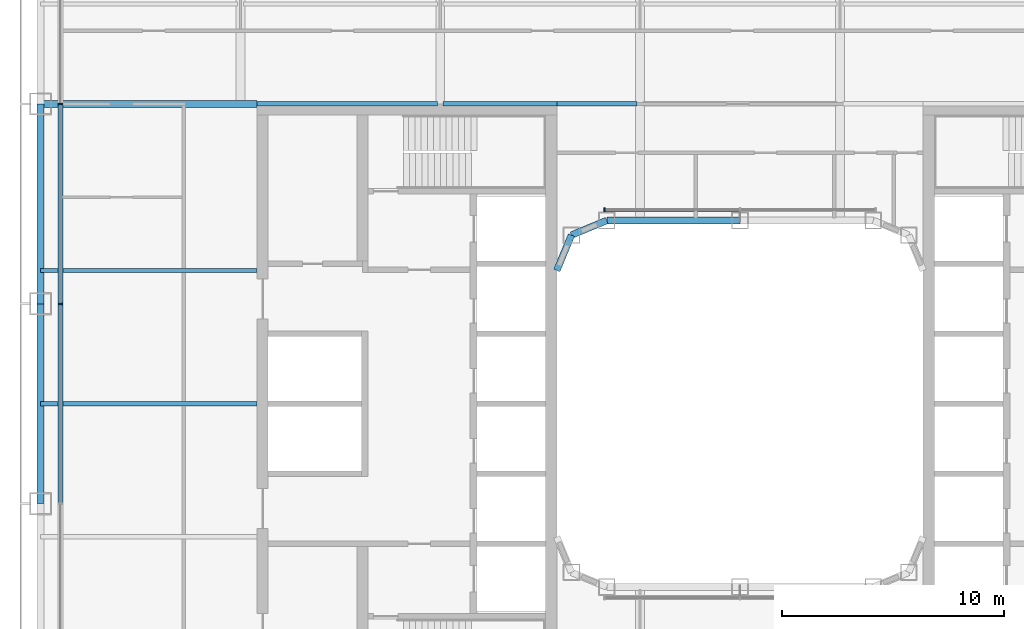
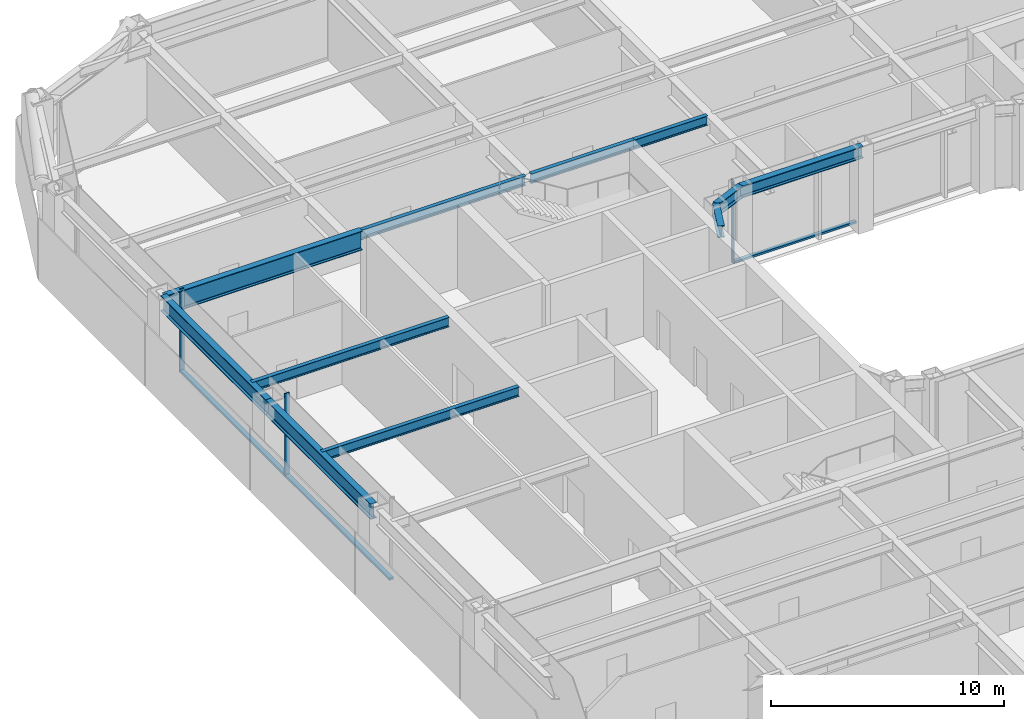
# One storey, part 6 of 30: 11 beams, 6 members, 2 elements without a shape of their own.
"""IFC4 building model written with IfcOpenShell, lengths in metres."""

import ifcopenshell
import ifcopenshell.guid

model = None  # the IFC model being written
_history = None  # IfcOwnerHistory: only IFC2X3 demands one
_inside = {}  # id of a spatial element -> (the spatial element, [elements in it])
_under = {}  # id of a project, library or spatial element -> (it, [spatial elements below it])
_declared = {}  # id of a project -> (the project, [libraries it declares])
_typed = {}  # id of a type object -> (the type object, [elements of that type])
_made_of = {}  # id of a material, layer set ... -> (it, [elements and type objects made of it])


def new_model(schema):
    """Start an empty IFC model of exactly this schema.

    Asked for "IFC4X3", IfcOpenShell would pick the latest addendum, in which some entities
    have other attributes; the version numbers below select the first issue.
    IFC2X3 requires an IfcOwnerHistory on every rooted entity: one is made here for all.
    """
    global model, _history
    if schema == "IFC4X3":
        model = ifcopenshell.file(schema_version=(4, 3, 0, 0))
    else:
        model = ifcopenshell.file(schema=schema)
    _inside.clear()
    _under.clear()
    _declared.clear()
    _typed.clear()
    _made_of.clear()
    _history = None
    if model.schema == "IFC2X3":
        org = make("IfcOrganization", Name="unknown")
        user = make(
            "IfcPersonAndOrganization",
            ThePerson=make("IfcPerson", FamilyName="unknown"),
            TheOrganization=org,
        )
        app = make(
            "IfcApplication",
            ApplicationDeveloper=org,
            Version="unknown",
            ApplicationFullName="unknown",
            ApplicationIdentifier="unknown",
        )
        _history = make(
            "IfcOwnerHistory",
            OwningUser=user,
            OwningApplication=app,
            ChangeAction="ADDED",
            CreationDate=0,
        )
    return model


def make(cls, **values):
    """One entity of the class cls with the attributes given. An attribute that is None is left unset."""
    return model.create_entity(
        cls, **{name: value for name, value in values.items() if value is not None}
    )


def rooted(cls, **values):
    """An entity with a GlobalId (a new one), such as an element, a storey or a relation."""
    return make(cls, GlobalId=ifcopenshell.guid.new(), OwnerHistory=_history, **values)


def si_unit(unit_type, name, prefix=None):
    """IfcSIUnit, for example si_unit("LENGTHUNIT", "METRE", prefix="MILLI")."""
    return make("IfcSIUnit", UnitType=unit_type, Prefix=prefix, Name=name)


def assignment(units):
    """IfcUnitAssignment: the units of a project."""
    return None if units is None else make("IfcUnitAssignment", Units=units)


def point(xyz):
    """IfcCartesianPoint."""
    return None if xyz is None else make("IfcCartesianPoint", Coordinates=xyz)


def direction(xyz):
    """IfcDirection."""
    return None if xyz is None else make("IfcDirection", DirectionRatios=xyz)


def frame(location, z_axis=None, x_axis=None):
    """IfcAxis2Placement3D, a coordinate frame: its origin and axes. An axis left out is left unset."""
    return make(
        "IfcAxis2Placement3D",
        Location=point(location),
        Axis=direction(z_axis),
        RefDirection=direction(x_axis),
    )


def frame_2d(location, x_axis=None):
    """IfcAxis2Placement2D, a coordinate frame in the plane: its origin and x axis."""
    return make(
        "IfcAxis2Placement2D", Location=point(location), RefDirection=direction(x_axis)
    )


def origin():
    """The frame at (0, 0, 0) with its axes left unset."""
    return frame((0.0, 0.0, 0.0))


def origin_2d():
    """The frame at (0, 0) in the plane with its x axis left unset."""
    return frame_2d((0.0, 0.0))


def place(relative_to, where):
    """IfcLocalPlacement: puts the frame where relative to a parent placement (None: the world)."""
    return make(
        "IfcLocalPlacement", PlacementRelTo=relative_to, RelativePlacement=where
    )


def context(
    kind, dimensions, precision=None, world=None, true_north=None, identifier=None
):
    """IfcGeometricRepresentationContext, for example the 3D "Model" context."""
    return make(
        "IfcGeometricRepresentationContext",
        ContextIdentifier=identifier,
        ContextType=kind,
        CoordinateSpaceDimension=dimensions,
        Precision=precision,
        WorldCoordinateSystem=world,
        TrueNorth=true_north,
    )


def subcontext(parent, identifier, kind, view, scale=None):
    """IfcGeometricRepresentationSubContext, for example "Body" below "Model"."""
    return make(
        "IfcGeometricRepresentationSubContext",
        ContextIdentifier=identifier,
        ContextType=kind,
        ParentContext=parent,
        TargetScale=scale,
        TargetView=view,
    )


def project(units=None, contexts=None):
    """IfcProject with its units and contexts."""
    return rooted(
        "IfcProject",
        Name="project",
        RepresentationContexts=contexts,
        UnitsInContext=assignment(units),
    )


def spatial(cls, under=None, at=None, **own):
    """A site, building, storey or space (cls), placed at a placement, below another one or the project."""
    s = rooted(cls, ObjectPlacement=at, **own)
    if under is not None:
        _under.setdefault(under.id(), (under, []))[1].append(s)
    return s


def profile(cls, at=None, kind="AREA", **sizes):
    """A parametric profile (cls). Its sizes go by their IFC names, for example OverallWidth=200.0."""
    return make(cls, ProfileType=kind, Position=at, **sizes)


def rectangle(**sizes):
    """IfcRectangleProfileDef."""
    return profile("IfcRectangleProfileDef", **sizes)


def i_section(**sizes):
    """IfcIShapeProfileDef."""
    return profile("IfcIShapeProfileDef", **sizes)


def extrude(swept, where, along, depth):
    """IfcExtrudedAreaSolid: the profile swept, set in the frame where, extruded along a direction by depth."""
    return make(
        "IfcExtrudedAreaSolid",
        SweptArea=swept,
        Position=where,
        ExtrudedDirection=direction(along),
        Depth=depth,
    )


def shape(context_of_items, identifier, shape_type, items):
    """IfcShapeRepresentation: the items that make up one representation, for example the "Body"."""
    return make(
        "IfcShapeRepresentation",
        ContextOfItems=context_of_items,
        RepresentationIdentifier=identifier,
        RepresentationType=shape_type,
        Items=items,
    )


def material(Name=None, Category=None):
    """IfcMaterial."""
    return make("IfcMaterial", Name=Name, Category=Category)


def layer(
    of_material, thickness, ventilated=None, Name=None, Category=None, Priority=None
):
    """IfcMaterialLayer: one layer of a wall or slab, of a material (None: an air gap)."""
    return make(
        "IfcMaterialLayer",
        Material=of_material,
        LayerThickness=thickness,
        IsVentilated=ventilated,
        Name=Name,
        Category=Category,
        Priority=Priority,
    )


def layer_set(layers, Name=None):
    """IfcMaterialLayerSet."""
    return make("IfcMaterialLayerSet", MaterialLayers=layers, LayerSetName=Name)


def material_profile(
    of_material, cross_section, Name=None, Category=None, Priority=None
):
    """IfcMaterialProfile: a cross section and its material."""
    return make(
        "IfcMaterialProfile",
        Name=Name,
        Material=of_material,
        Profile=cross_section,
        Priority=Priority,
        Category=Category,
    )


def profile_set(profiles, Name=None, composite=None):
    """IfcMaterialProfileSet."""
    return make(
        "IfcMaterialProfileSet",
        Name=Name,
        MaterialProfiles=profiles,
        CompositeProfile=composite,
    )


def made_of(thing, what):
    """Note that an element or type object is made of a material, layer set ...; save() writes the relation."""
    if what is not None:
        _made_of.setdefault(what.id(), (what, []))[1].append(thing)
    return thing


def type_object(cls, material=None, **own):
    """A type object (cls), such as IfcWallType, which elements share."""
    return made_of(rooted(cls, **own), material)


def element(
    cls,
    number,
    at=None,
    inside=None,
    cuts=None,
    type_object=None,
    material=None,
    context=None,
    identifier="Body",
    shape_type=None,
    held_by="IfcProductDefinitionShape",
    body=None,
    shapes=None,
    **own,
):
    """One element of the class cls, such as IfcWall. Its Tag is "e" and its number.

    at: its placement. inside: the storey or other place that contains it. cuts: it is an
    opening in that element (IfcRelVoidsElement). A single representation is given by context,
    identifier, shape_type and body (its items); several are given by shapes. held_by: the class
    of the entity that holds the representations. save() writes the other relations.
    """
    e = rooted(cls, Tag="e%d" % number, ObjectPlacement=at, **own)
    if body is not None:
        shapes = [shape(context, identifier, shape_type, body)]
    if shapes is not None:
        e.Representation = make(held_by, Representations=shapes)
    if inside is not None:
        _inside.setdefault(inside.id(), (inside, []))[1].append(e)
    if cuts is not None:
        rooted(
            "IfcRelVoidsElement", RelatingBuildingElement=cuts, RelatedOpeningElement=e
        )
    if type_object is not None:
        _typed.setdefault(type_object.id(), (type_object, []))[1].append(e)
    return made_of(e, material)


def aggregate(whole, parts):
    """IfcRelAggregates: a whole, such as a stair, and the parts it consists of."""
    return rooted("IfcRelAggregates", RelatingObject=whole, RelatedObjects=parts)


def save(model, path):
    """Write the relations noted so far, then the file.

    IfcRelAggregates (storeys below a building ...), IfcRelContainedInSpatialStructure (elements
    in a storey), IfcRelDefinesByType, IfcRelAssociatesMaterial and IfcRelDeclares: one each for
    every whole, place, type object, material and project.
    """
    for whole, parts in _under.values():
        aggregate(whole, parts)
    for where, things in _inside.values():
        rooted(
            "IfcRelContainedInSpatialStructure",
            RelatedElements=things,
            RelatingStructure=where,
        )
    for kind, things in _typed.values():
        rooted("IfcRelDefinesByType", RelatedObjects=things, RelatingType=kind)
    for what, things in _made_of.values():
        rooted("IfcRelAssociatesMaterial", RelatedObjects=things, RelatingMaterial=what)
    for by, libraries in _declared.values():
        rooted("IfcRelDeclares", RelatingContext=by, RelatedDefinitions=libraries)
    model.write(path)


model = new_model("IFC4")

# Units and contexts
model_context = context("Model", 3, precision=1e-05, world=origin(), true_north=direction((0.0, 1.0)))
body_context = subcontext(model_context, "Body", "Model", "MODEL_VIEW")
ifc_project = project(units=[si_unit("LENGTHUNIT", "METRE"), si_unit("AREAUNIT", "SQUARE_METRE"), si_unit("VOLUMEUNIT", "CUBIC_METRE"), si_unit("PLANEANGLEUNIT", "RADIAN"), si_unit("MASSUNIT", "GRAM", prefix="KILO")], contexts=[model_context])

# Site, building, storey
site_placement = place(None, origin())
site = spatial("IfcSite", under=ifc_project, at=site_placement, CompositionType="ELEMENT")
building_placement = place(site_placement, origin())
building = spatial("IfcBuilding", under=site, at=building_placement, Name="Siwar Civic Tower", CompositionType="ELEMENT")
storey_placement = place(building_placement, frame((0.0, 0.0, 80.699951171875)))
storey = spatial("IfcBuildingStorey", under=building, at=storey_placement, Name="L17", CompositionType="ELEMENT", Elevation=80.699951171875)

# Curtain wall, members
ifc_material_1 = material(Name="Aluminium and glass", Category="aluminium")
ifc_layer_1 = layer(ifc_material_1, 0.219970703125)
ifc_layer_set_1 = layer_set([ifc_layer_1], Name="Aluminium and glass")
curtain_wall_type_1 = type_object("IfcCurtainWallType", Name="ENV-CW-A", PredefinedType="NOTDEFINED", material=ifc_layer_set_1)
curtain_wall_1_placement = place(storey_placement, origin())
curtain_wall_1 = element("IfcCurtainWall", 1, at=curtain_wall_1_placement, inside=storey, type_object=curtain_wall_type_1, Name="Curtain wall A W", PredefinedType="NOTDEFINED")
ifc_material_2 = material(Name="Aluminium 6063-T6", Category="aluminium")
ifc_material_profile_1 = material_profile(ifc_material_2, rectangle(XDim=0.219970703125, YDim=0.070068359375, at=origin_2d()), Name="AL 220x70")
ifc_profile_set_1 = profile_set([ifc_material_profile_1], Name="Aluminium 6063-T6")
member_type_1 = type_object("IfcMemberType", Name="ENV-MULLION-A", PredefinedType="MULLION", material=ifc_profile_set_1)
member_1_placement = place(storey_placement, frame((-30.60009765625, 13.5, 0.0), z_axis=(0.0, 0.0, 1.0), x_axis=(1.0, 0.0, 0.0)))
member_1 = element("IfcMember", 2, at=member_1_placement, type_object=member_type_1, Name="Mullion A W 2", PredefinedType="MULLION", context=body_context, shape_type="SweptSolid", body=[
    extrude(rectangle(XDim=0.219970703125, YDim=0.070068359375, at=origin_2d()), origin(), (0.0, 0.0, 1.0), 4.35009765625),
])
member_2_placement = place(storey_placement, frame((-30.60009765625, 4.5, 0.0), z_axis=(0.0, 0.0, 1.0), x_axis=(1.0, 0.0, 0.0)))
member_2 = element("IfcMember", 3, at=member_2_placement, type_object=member_type_1, Name="Mullion A W 3", PredefinedType="MULLION", context=body_context, shape_type="SweptSolid", body=[
    extrude(rectangle(XDim=0.219970703125, YDim=0.070068359375, at=origin_2d()), origin(), (0.0, 0.0, 1.0), 4.35009765625),
])

# Curtain wall, member
ifc_material_3 = material(Name="Aluminium and glass", Category="aluminium")
ifc_layer_2 = layer(ifc_material_3, 0.179931640625)
ifc_layer_set_2 = layer_set([ifc_layer_2], Name="Aluminium and glass")
curtain_wall_type_2 = type_object("IfcCurtainWallType", Name="ENV-CW-W", PredefinedType="NOTDEFINED", material=ifc_layer_set_2)
curtain_wall_2_placement = place(storey_placement, origin())
curtain_wall_2 = element("IfcCurtainWall", 4, at=curtain_wall_2_placement, inside=storey, type_object=curtain_wall_type_2, Name="Curtain wall W WN", PredefinedType="NOTDEFINED")
ifc_material_4 = material(Name="Aluminium 6063-T6", Category="aluminium")
ifc_material_profile_2 = material_profile(ifc_material_4, rectangle(XDim=0.179931640625, YDim=0.06005859375, at=origin_2d()), Name="AL 180x60")
ifc_profile_set_2 = profile_set([ifc_material_profile_2], Name="Aluminium 6063-T6")
member_type_2 = type_object("IfcMemberType", Name="ENV-MULLION-W", PredefinedType="MULLION", material=ifc_profile_set_2)
member_3_placement = place(storey_placement, frame((-6.096435546875, 8.735107421875, 0.0), z_axis=(0.0, 0.0, 1.0), x_axis=(0.0, -1.0, 0.0)))
member_3 = element("IfcMember", 5, at=member_3_placement, type_object=member_type_2, Name="Mullion W WN 3", PredefinedType="MULLION", context=body_context, shape_type="SweptSolid", body=[
    extrude(rectangle(XDim=0.179931640625, YDim=0.06005859375, at=origin_2d()), origin(), (0.0, 0.0, 1.0), 4.35009765625),
])

# Member
ifc_material_5 = material(Name="Aluminium 6063-T6", Category="aluminium")
ifc_material_profile_3 = material_profile(ifc_material_5, rectangle(XDim=0.219970703125, YDim=0.1201171875, at=origin_2d()), Name="AL 220x120")
ifc_profile_set_3 = profile_set([ifc_material_profile_3], Name="Aluminium 6063-T6")
member_type_3 = type_object("IfcMemberType", Name="ENV-TRANSOM-A", PredefinedType="USERDEFINED", material=ifc_profile_set_3)
member_4_placement = place(storey_placement, frame((-30.60009765625, 13.465087890625, 0.06005859375), z_axis=(0.0, -1.0, 0.0), x_axis=(1.0, 0.0, 0.0)))
member_4 = element("IfcMember", 6, at=member_4_placement, type_object=member_type_3, Name="Transom A W 2", ObjectType="TRANSOM", PredefinedType="USERDEFINED", context=body_context, shape_type="SweptSolid", body=[
    extrude(rectangle(XDim=0.219970703125, YDim=0.1201171875, at=origin_2d()), origin(), (0.0, 0.0, 1.0), 8.93017578125),
])

member_5_placement = place(storey_placement, frame((-30.60009765625, 4.465087890625, 0.06005859375), z_axis=(0.0, -1.0, 0.0), x_axis=(1.0, 0.0, 0.0)))
member_5 = element("IfcMember", 7, at=member_5_placement, type_object=member_type_3, Name="Transom A W 3", ObjectType="TRANSOM", PredefinedType="USERDEFINED", context=body_context, shape_type="SweptSolid", body=[
    extrude(rectangle(XDim=0.219970703125, YDim=0.1201171875, at=origin_2d()), origin(), (0.0, 0.0, 1.0), 8.93017578125),
])

aggregate(curtain_wall_1, [member_1, member_2, member_4, member_5])

ifc_material_6 = material(Name="Aluminium 6063-T6", Category="aluminium")
ifc_material_profile_4 = material_profile(ifc_material_6, rectangle(XDim=0.179931640625, YDim=0.10009765625, at=origin_2d()), Name="AL 180x100")
ifc_profile_set_4 = profile_set([ifc_material_profile_4], Name="Aluminium 6063-T6")
member_type_4 = type_object("IfcMemberType", Name="ENV-TRANSOM-W", PredefinedType="USERDEFINED", material=ifc_profile_set_4)
member_6_placement = place(storey_placement, frame((-0.030029296875, 8.735107421875, 0.050048828125), z_axis=(-1.0, 0.0, 0.0), x_axis=(0.0, -1.0, 0.0)))
member_6 = element("IfcMember", 8, at=member_6_placement, type_object=member_type_4, Name="Transom W WN 2", ObjectType="TRANSOM", PredefinedType="USERDEFINED", context=body_context, shape_type="SweptSolid", body=[
    extrude(rectangle(XDim=0.179931640625, YDim=0.10009765625, at=origin_2d()), origin(), (0.0, 0.0, 1.0), 6.036376953125),
])

aggregate(curtain_wall_2, [member_3, member_6])

# Beams
ifc_material_7 = material(Name="Steel S355", Category="steel")
ifc_material_profile_5 = material_profile(ifc_material_7, i_section(OverallWidth=0.199951171875, OverallDepth=0.5, WebThickness=0.01025390625, FlangeThickness=0.01611328125, FilletRadius=0.02099609375, at=origin_2d()), Name="IPE500")
ifc_profile_set_5 = profile_set([ifc_material_profile_5], Name="Steel S355")
beam_type_1 = type_object("IfcBeamType", Name="STR-FB-IPE500", PredefinedType="JOIST", material=ifc_profile_set_5)
for number, where, z_axis, x_axis, name in (
    (9, (-31.5, 0.0, 4.10009765625), (1.0, 0.0, 0.0), (0.0, 1.0, 0.0), "L17/bm/F033"),
    (10, (-31.5, 6.0, 4.10009765625), (1.0, 0.0, 0.0), (0.0, 1.0, 0.0), "L17/bm/F035"),
):
    element("IfcBeam", number, at=place(storey_placement, frame(where, z_axis=z_axis, x_axis=x_axis)), inside=storey, type_object=beam_type_1, Name=name, PredefinedType="JOIST", context=body_context, shape_type="SweptSolid", body=[
        extrude(i_section(OverallWidth=0.199951171875, OverallDepth=0.5, WebThickness=0.01025390625, FlangeThickness=0.01611328125, FilletRadius=0.02099609375, at=origin_2d()), origin(), (0.0, 0.0, 1.0), 9.75),
    ])
beam_1_placement = place(storey_placement, frame((-21.75, 13.5, 4.10009765625), z_axis=(1.0, 0.0, 0.0), x_axis=(0.0, 1.0, 0.0)))
element("IfcBeam", 11, at=beam_1_placement, inside=storey, type_object=beam_type_1, Name="L17/bm/F038", PredefinedType="JOIST", context=body_context, shape_type="SweptSolid", body=[
    extrude(i_section(OverallWidth=0.199951171875, OverallDepth=0.5, WebThickness=0.01025390625, FlangeThickness=0.01611328125, FilletRadius=0.02099609375, at=origin_2d()), origin(), (0.0, 0.0, 1.0), 8.1201171875),
])
beam_2_placement = place(storey_placement, frame((-13.3701171875, 13.5, 4.10009765625), z_axis=(1.0, 0.0, 0.0), x_axis=(0.0, 1.0, 0.0)))
element("IfcBeam", 12, at=beam_2_placement, inside=storey, type_object=beam_type_1, Name="L17/bm/F039", PredefinedType="JOIST", context=body_context, shape_type="SweptSolid", body=[
    extrude(i_section(OverallWidth=0.199951171875, OverallDepth=0.5, WebThickness=0.01025390625, FlangeThickness=0.01611328125, FilletRadius=0.02099609375, at=origin_2d()), origin(), (0.0, 0.0, 1.0), 5.1201171875),
])
beam_3_placement = place(storey_placement, frame((-8.25, 13.5, 4.10009765625), z_axis=(1.0, 0.0, 0.0), x_axis=(0.0, 1.0, 0.0)))
element("IfcBeam", 13, at=beam_3_placement, inside=storey, type_object=beam_type_1, Name="L17/bm/F040", PredefinedType="JOIST", context=body_context, shape_type="SweptSolid", body=[
    extrude(i_section(OverallWidth=0.199951171875, OverallDepth=0.5, WebThickness=0.01025390625, FlangeThickness=0.01611328125, FilletRadius=0.02099609375, at=origin_2d()), origin(), (0.0, 0.0, 1.0), 3.6201171875),
])
ifc_material_8 = material(Name="Steel S355", Category="steel")
ifc_material_profile_6 = material_profile(ifc_material_8, i_section(OverallWidth=0.300048828125, OverallDepth=1.0, WebThickness=0.01904296875, FlangeThickness=0.035888671875, FilletRadius=0.030029296875, at=origin_2d()), Name="HEB1000")
ifc_profile_set_6 = profile_set([ifc_material_profile_6], Name="Steel S355")
beam_type_2 = type_object("IfcBeamType", Name="STR-PG-HEB1000", PredefinedType="BEAM", material=ifc_profile_set_6)
beam_4_placement = place(storey_placement, frame((-31.5, 13.5, 3.85009765625), z_axis=(1.0, 0.0, 0.0), x_axis=(0.0, 1.0, 0.0)))
element("IfcBeam", 14, at=beam_4_placement, inside=storey, type_object=beam_type_2, Name="L17/bm/F037", PredefinedType="BEAM", context=body_context, shape_type="SweptSolid", body=[
    extrude(i_section(OverallWidth=0.300048828125, OverallDepth=1.0, WebThickness=0.01904296875, FlangeThickness=0.035888671875, FilletRadius=0.030029296875, at=origin_2d()), origin(), (0.0, 0.0, 1.0), 9.75),
])
ifc_material_9 = material(Name="Steel S355", Category="steel")
ifc_material_profile_7 = material_profile(ifc_material_9, i_section(OverallWidth=0.304931640625, OverallDepth=0.6201171875, WebThickness=0.02099609375, FlangeThickness=0.0400390625, FilletRadius=0.027099609375, at=origin_2d()), Name="HEM600")
ifc_profile_set_7 = profile_set([ifc_material_profile_7], Name="Steel S355")
beam_type_3 = type_object("IfcBeamType", Name="STR-RB-HEM600", PredefinedType="BEAM", material=ifc_profile_set_7)
beam_5_placement = place(storey_placement, frame((-7.591064453125, 7.591064453125, 4.0400390625), z_axis=(0.923901072997, 0.382631424892, 0.0), x_axis=(-0.382631424892, 0.923901072997, 0.0)))
element("IfcBeam", 15, at=beam_5_placement, inside=storey, type_object=beam_type_3, Name="L17/bm/RN0", PredefinedType="BEAM", context=body_context, shape_type="SweptSolid", body=[
    extrude(i_section(OverallWidth=0.304931640625, OverallDepth=0.6201171875, WebThickness=0.02099609375, FlangeThickness=0.0400390625, FilletRadius=0.027099609375, at=origin_2d()), origin(), (0.0, 0.0, 1.0), 1.72216796875),
])
beam_6_placement = place(storey_placement, frame((-6.0, 8.25, 4.0400390625), z_axis=(1.0, 0.0, 0.0), x_axis=(0.0, 1.0, 0.0)))
element("IfcBeam", 16, at=beam_6_placement, inside=storey, type_object=beam_type_3, Name="L17/bm/RN1", PredefinedType="BEAM", context=body_context, shape_type="SweptSolid", body=[
    extrude(i_section(OverallWidth=0.304931640625, OverallDepth=0.6201171875, WebThickness=0.02099609375, FlangeThickness=0.0400390625, FilletRadius=0.027099609375, at=origin_2d()), origin(), (0.0, 0.0, 1.0), 6.0),
])
beam_7_placement = place(storey_placement, frame((-7.591064453125, 7.591064453125, 4.0400390625), z_axis=(-0.382631424892, -0.923901072997, 0.0), x_axis=(0.923901072997, -0.382631424892, 0.0)))
element("IfcBeam", 17, at=beam_7_placement, inside=storey, type_object=beam_type_3, Name="L17/bm/RNEW", PredefinedType="BEAM", context=body_context, shape_type="SweptSolid", body=[
    extrude(i_section(OverallWidth=0.304931640625, OverallDepth=0.6201171875, WebThickness=0.02099609375, FlangeThickness=0.0400390625, FilletRadius=0.027099609375, at=origin_2d()), origin(), (0.0, 0.0, 1.0), 1.72216796875),
])
ifc_material_10 = material(Name="Steel S355", Category="steel")
ifc_material_profile_8 = material_profile(ifc_material_10, i_section(OverallWidth=0.302978515625, OverallDepth=0.81396484375, WebThickness=0.02099609375, FlangeThickness=0.0400390625, FilletRadius=0.030029296875, at=origin_2d()), Name="HEM800")
ifc_profile_set_8 = profile_set([ifc_material_profile_8], Name="Steel S355")
beam_type_4 = type_object("IfcBeamType", Name="STR-SB-HEM800", PredefinedType="BEAM", material=ifc_profile_set_8)
for number, where, z_axis, x_axis, name in (
    (18, (-31.5, 13.5, 3.943115234375), (0.0, -1.0, 0.0), (1.0, 0.0, 0.0), "L17/bm/SW-1"),
    (19, (-31.5, 4.5, 3.943115234375), (0.0, -1.0, 0.0), (1.0, 0.0, 0.0), "L17/bm/SW-2"),
):
    element("IfcBeam", number, at=place(storey_placement, frame(where, z_axis=z_axis, x_axis=x_axis)), inside=storey, type_object=beam_type_4, Name=name, PredefinedType="BEAM", context=body_context, shape_type="SweptSolid", body=[
        extrude(i_section(OverallWidth=0.302978515625, OverallDepth=0.81396484375, WebThickness=0.02099609375, FlangeThickness=0.0400390625, FilletRadius=0.030029296875, at=origin_2d()), origin(), (0.0, 0.0, 1.0), 9.0),
    ])

save(model, "model.ifc")
